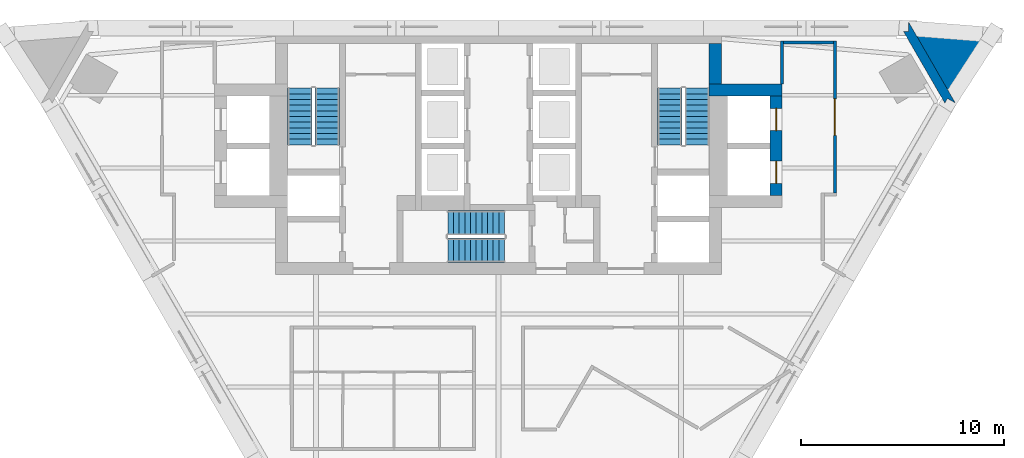
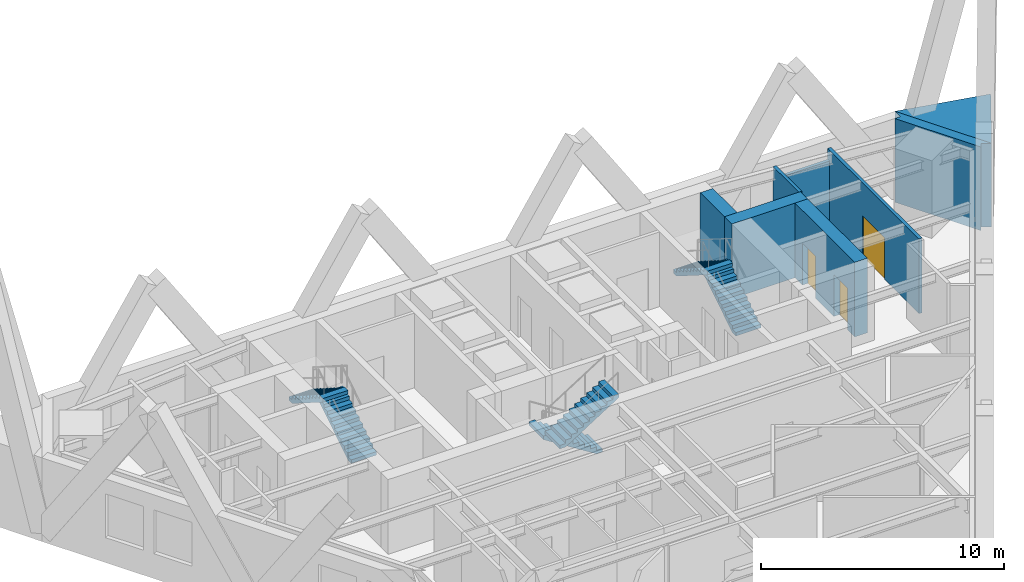
# One storey, part 6 of 8: 8 walls, 6 stair flights, 3 doors, 3 openings, 3 elements without a shape of their own.
"""IFC4 building model written with IfcOpenShell, lengths in metres."""

import ifcopenshell
import ifcopenshell.guid

model = None  # the IFC model being written
_history = None  # IfcOwnerHistory: only IFC2X3 demands one
_inside = {}  # id of a spatial element -> (the spatial element, [elements in it])
_under = {}  # id of a project, library or spatial element -> (it, [spatial elements below it])
_declared = {}  # id of a project -> (the project, [libraries it declares])
_typed = {}  # id of a type object -> (the type object, [elements of that type])
_made_of = {}  # id of a material, layer set ... -> (it, [elements and type objects made of it])


def new_model(schema):
    """Start an empty IFC model of exactly this schema.

    Asked for "IFC4X3", IfcOpenShell would pick the latest addendum, in which some entities
    have other attributes; the version numbers below select the first issue.
    IFC2X3 requires an IfcOwnerHistory on every rooted entity: one is made here for all.
    """
    global model, _history
    if schema == "IFC4X3":
        model = ifcopenshell.file(schema_version=(4, 3, 0, 0))
    else:
        model = ifcopenshell.file(schema=schema)
    _inside.clear()
    _under.clear()
    _declared.clear()
    _typed.clear()
    _made_of.clear()
    _history = None
    if model.schema == "IFC2X3":
        org = make("IfcOrganization", Name="unknown")
        user = make(
            "IfcPersonAndOrganization",
            ThePerson=make("IfcPerson", FamilyName="unknown"),
            TheOrganization=org,
        )
        app = make(
            "IfcApplication",
            ApplicationDeveloper=org,
            Version="unknown",
            ApplicationFullName="unknown",
            ApplicationIdentifier="unknown",
        )
        _history = make(
            "IfcOwnerHistory",
            OwningUser=user,
            OwningApplication=app,
            ChangeAction="ADDED",
            CreationDate=0,
        )
    return model


def make(cls, **values):
    """One entity of the class cls with the attributes given. An attribute that is None is left unset."""
    return model.create_entity(
        cls, **{name: value for name, value in values.items() if value is not None}
    )


def rooted(cls, **values):
    """An entity with a GlobalId (a new one), such as an element, a storey or a relation."""
    return make(cls, GlobalId=ifcopenshell.guid.new(), OwnerHistory=_history, **values)


def si_unit(unit_type, name, prefix=None):
    """IfcSIUnit, for example si_unit("LENGTHUNIT", "METRE", prefix="MILLI")."""
    return make("IfcSIUnit", UnitType=unit_type, Prefix=prefix, Name=name)


def assignment(units):
    """IfcUnitAssignment: the units of a project."""
    return None if units is None else make("IfcUnitAssignment", Units=units)


def point(xyz):
    """IfcCartesianPoint."""
    return None if xyz is None else make("IfcCartesianPoint", Coordinates=xyz)


def direction(xyz):
    """IfcDirection."""
    return None if xyz is None else make("IfcDirection", DirectionRatios=xyz)


def frame(location, z_axis=None, x_axis=None):
    """IfcAxis2Placement3D, a coordinate frame: its origin and axes. An axis left out is left unset."""
    return make(
        "IfcAxis2Placement3D",
        Location=point(location),
        Axis=direction(z_axis),
        RefDirection=direction(x_axis),
    )


def frame_2d(location, x_axis=None):
    """IfcAxis2Placement2D, a coordinate frame in the plane: its origin and x axis."""
    return make(
        "IfcAxis2Placement2D", Location=point(location), RefDirection=direction(x_axis)
    )


def origin():
    """The frame at (0, 0, 0) with its axes left unset."""
    return frame((0.0, 0.0, 0.0))


def place(relative_to, where):
    """IfcLocalPlacement: puts the frame where relative to a parent placement (None: the world)."""
    return make(
        "IfcLocalPlacement", PlacementRelTo=relative_to, RelativePlacement=where
    )


def context(
    kind, dimensions, precision=None, world=None, true_north=None, identifier=None
):
    """IfcGeometricRepresentationContext, for example the 3D "Model" context."""
    return make(
        "IfcGeometricRepresentationContext",
        ContextIdentifier=identifier,
        ContextType=kind,
        CoordinateSpaceDimension=dimensions,
        Precision=precision,
        WorldCoordinateSystem=world,
        TrueNorth=true_north,
    )


def subcontext(parent, identifier, kind, view, scale=None):
    """IfcGeometricRepresentationSubContext, for example "Body" below "Model"."""
    return make(
        "IfcGeometricRepresentationSubContext",
        ContextIdentifier=identifier,
        ContextType=kind,
        ParentContext=parent,
        TargetScale=scale,
        TargetView=view,
    )


def project(units=None, contexts=None):
    """IfcProject with its units and contexts."""
    return rooted(
        "IfcProject",
        Name="project",
        RepresentationContexts=contexts,
        UnitsInContext=assignment(units),
    )


def spatial(cls, under=None, at=None, **own):
    """A site, building, storey or space (cls), placed at a placement, below another one or the project."""
    s = rooted(cls, ObjectPlacement=at, **own)
    if under is not None:
        _under.setdefault(under.id(), (under, []))[1].append(s)
    return s


def polyline(points):
    """IfcPolyline through the points."""
    return make("IfcPolyline", Points=[point(p) for p in points])


def profile(cls, at=None, kind="AREA", **sizes):
    """A parametric profile (cls). Its sizes go by their IFC names, for example OverallWidth=200.0."""
    return make(cls, ProfileType=kind, Position=at, **sizes)


def rectangle(**sizes):
    """IfcRectangleProfileDef."""
    return profile("IfcRectangleProfileDef", **sizes)


def outline(outer, holes=None, kind="AREA"):
    """IfcArbitraryClosedProfileDef: a profile drawn as a closed curve; with holes, ...WithVoids."""
    if holes is None:
        return make("IfcArbitraryClosedProfileDef", ProfileType=kind, OuterCurve=outer)
    return make(
        "IfcArbitraryProfileDefWithVoids",
        ProfileType=kind,
        OuterCurve=outer,
        InnerCurves=holes,
    )


def extrude(swept, where, along, depth):
    """IfcExtrudedAreaSolid: the profile swept, set in the frame where, extruded along a direction by depth."""
    return make(
        "IfcExtrudedAreaSolid",
        SweptArea=swept,
        Position=where,
        ExtrudedDirection=direction(along),
        Depth=depth,
    )


def shape(context_of_items, identifier, shape_type, items):
    """IfcShapeRepresentation: the items that make up one representation, for example the "Body"."""
    return make(
        "IfcShapeRepresentation",
        ContextOfItems=context_of_items,
        RepresentationIdentifier=identifier,
        RepresentationType=shape_type,
        Items=items,
    )


def material(Name=None, Category=None):
    """IfcMaterial."""
    return make("IfcMaterial", Name=Name, Category=Category)


def layer(
    of_material, thickness, ventilated=None, Name=None, Category=None, Priority=None
):
    """IfcMaterialLayer: one layer of a wall or slab, of a material (None: an air gap)."""
    return make(
        "IfcMaterialLayer",
        Material=of_material,
        LayerThickness=thickness,
        IsVentilated=ventilated,
        Name=Name,
        Category=Category,
        Priority=Priority,
    )


def layer_set(layers, Name=None):
    """IfcMaterialLayerSet."""
    return make("IfcMaterialLayerSet", MaterialLayers=layers, LayerSetName=Name)


def made_of(thing, what):
    """Note that an element or type object is made of a material, layer set ...; save() writes the relation."""
    if what is not None:
        _made_of.setdefault(what.id(), (what, []))[1].append(thing)
    return thing


def type_object(cls, material=None, **own):
    """A type object (cls), such as IfcWallType, which elements share."""
    return made_of(rooted(cls, **own), material)


def element(
    cls,
    number,
    at=None,
    inside=None,
    cuts=None,
    type_object=None,
    material=None,
    context=None,
    identifier="Body",
    shape_type=None,
    held_by="IfcProductDefinitionShape",
    body=None,
    shapes=None,
    **own,
):
    """One element of the class cls, such as IfcWall. Its Tag is "e" and its number.

    at: its placement. inside: the storey or other place that contains it. cuts: it is an
    opening in that element (IfcRelVoidsElement). A single representation is given by context,
    identifier, shape_type and body (its items); several are given by shapes. held_by: the class
    of the entity that holds the representations. save() writes the other relations.
    """
    e = rooted(cls, Tag="e%d" % number, ObjectPlacement=at, **own)
    if body is not None:
        shapes = [shape(context, identifier, shape_type, body)]
    if shapes is not None:
        e.Representation = make(held_by, Representations=shapes)
    if inside is not None:
        _inside.setdefault(inside.id(), (inside, []))[1].append(e)
    if cuts is not None:
        rooted(
            "IfcRelVoidsElement", RelatingBuildingElement=cuts, RelatedOpeningElement=e
        )
    if type_object is not None:
        _typed.setdefault(type_object.id(), (type_object, []))[1].append(e)
    return made_of(e, material)


def fill(opening, filler):
    """IfcRelFillsElement: the door or window that sits in an opening."""
    return rooted(
        "IfcRelFillsElement",
        RelatingOpeningElement=opening,
        RelatedBuildingElement=filler,
    )


def aggregate(whole, parts):
    """IfcRelAggregates: a whole, such as a stair, and the parts it consists of."""
    return rooted("IfcRelAggregates", RelatingObject=whole, RelatedObjects=parts)


def save(model, path):
    """Write the relations noted so far, then the file.

    IfcRelAggregates (storeys below a building ...), IfcRelContainedInSpatialStructure (elements
    in a storey), IfcRelDefinesByType, IfcRelAssociatesMaterial and IfcRelDeclares: one each for
    every whole, place, type object, material and project.
    """
    for whole, parts in _under.values():
        aggregate(whole, parts)
    for where, things in _inside.values():
        rooted(
            "IfcRelContainedInSpatialStructure",
            RelatedElements=things,
            RelatingStructure=where,
        )
    for kind, things in _typed.values():
        rooted("IfcRelDefinesByType", RelatedObjects=things, RelatingType=kind)
    for what, things in _made_of.values():
        rooted("IfcRelAssociatesMaterial", RelatedObjects=things, RelatingMaterial=what)
    for by, libraries in _declared.values():
        rooted("IfcRelDeclares", RelatingContext=by, RelatedDefinitions=libraries)
    model.write(path)


model = new_model("IFC4")

# Units and contexts
model_context = context("Model", 3, precision=1e-05, world=origin(), true_north=direction((0.0, 1.0)))
body_context = subcontext(model_context, "Body", "Model", "MODEL_VIEW")
ifc_project = project(units=[si_unit("LENGTHUNIT", "METRE"), si_unit("AREAUNIT", "SQUARE_METRE"), si_unit("VOLUMEUNIT", "CUBIC_METRE"), si_unit("PLANEANGLEUNIT", "RADIAN"), si_unit("MASSUNIT", "GRAM", prefix="KILO")], contexts=[model_context])

# Site, building, storey
site_placement = place(None, origin())
site = spatial("IfcSite", under=ifc_project, at=site_placement, CompositionType="ELEMENT")
building_placement = place(site_placement, origin())
building = spatial("IfcBuilding", under=site, at=building_placement, Name="Aloe Facet Convention Tower", CompositionType="ELEMENT")
storey_placement = place(building_placement, frame((0.0, 0.0, 128.60009765625)))
storey = spatial("IfcBuildingStorey", under=building, at=storey_placement, Name="L32", CompositionType="ELEMENT", Elevation=128.60009765625)

# Walls
ifc_material_1 = material(Name="Concrete C60/75", Category="concrete")
ifc_layer_1 = layer(ifc_material_1, 0.60009765625)
ifc_layer_set_1 = layer_set([ifc_layer_1], Name="CR-W-RC600-C6075")
wall_type_1 = type_object("IfcWallType", Name="CR-W-RC600-C6075", PredefinedType="SOLIDWALL", material=ifc_layer_set_1)
wall_1_placement = place(storey_placement, frame((90.699951171875, 133.949951171875, 0.0), z_axis=(0.0, 0.0, 1.0), x_axis=(0.0, -1.0, 0.0)))
element("IfcWall", 1, at=wall_1_placement, inside=storey, type_object=wall_type_1, Name="Core wall L32-037", PredefinedType="SOLIDWALL", context=body_context, shape_type="SweptSolid", body=[
    extrude(rectangle(XDim=2.0, YDim=0.60009765625, at=frame_2d((1.0, 0.0))), origin(), (0.0, 0.0, 1.0), 3.75),
])
wall_2_placement = place(storey_placement, frame((90.39990234375, 131.64990234375, 0.0), z_axis=(0.0, 0.0, 1.0), x_axis=(1.0, 0.0, 0.0)))
element("IfcWall", 2, at=wall_2_placement, inside=storey, type_object=wall_type_1, Name="Core wall L32-038", PredefinedType="SOLIDWALL", context=body_context, shape_type="SweptSolid", body=[
    extrude(rectangle(XDim=3.60009765625, YDim=0.60009765625, at=frame_2d((1.800048828125, 0.0))), origin(), (0.0, 0.0, 1.0), 3.75),
])

# Wall, openings, doors
wall_3_placement = place(storey_placement, frame((93.699951171875, 131.35009765625, 0.0), z_axis=(0.0, 0.0, 1.0), x_axis=(0.0, -1.0, 0.0)))
wall_3 = element("IfcWall", 3, at=wall_3_placement, inside=storey, type_object=wall_type_1, Name="Core wall L32-043", PredefinedType="SOLIDWALL", context=body_context, shape_type="SweptSolid", body=[
    extrude(rectangle(XDim=4.900146484375, YDim=0.60009765625, at=frame_2d((2.4501953125, 0.0))), origin(), (0.0, 0.0, 1.0), 3.75),
])
opening_1_placement = place(wall_3_placement, frame((0.60009765625, 0.0, 0.0)))
opening_1 = element("IfcOpeningElement", 4, at=opening_1_placement, cuts=wall_3, Name="Opening LD-SH3-L32", PredefinedType="OPENING", context=body_context, shape_type="SweptSolid", body=[
    extrude(rectangle(XDim=1.10009765625, YDim=2.10009765625, at=frame_2d((0.550048828125, 1.050048828125))), frame((0.0, 0.31005859375, 0.0), z_axis=(0.0, -1.0, 0.0), x_axis=(1.0, 0.0, 0.0)), (0.0, 0.0, 1.0), 0.6201171875),
])
opening_2_placement = place(wall_3_placement, frame((3.199951171875, 0.0, 0.0)))
opening_2 = element("IfcOpeningElement", 5, at=opening_2_placement, cuts=wall_3, Name="Opening LD-SH4-L32", PredefinedType="OPENING", context=body_context, shape_type="SweptSolid", body=[
    extrude(rectangle(XDim=1.10009765625, YDim=2.10009765625, at=frame_2d((0.550048828125, 1.050048828125))), frame((0.0, 0.31005859375, 0.0), z_axis=(0.0, -1.0, 0.0), x_axis=(1.0, 0.0, 0.0)), (0.0, 0.0, 1.0), 0.6201171875),
])
ifc_material_2 = material(Name="Stainless steel sliding landing door", Category="steel")
door_type_1 = type_object("IfcDoorType", Name="CR-LD-1100-FD60-_LEFT", OperationType="SLIDING_TO_LEFT", PredefinedType="DOOR", material=ifc_material_2)
door_1_placement = place(opening_1_placement, origin())
door_1 = element("IfcDoor", 6, at=door_1_placement, inside=storey, type_object=door_type_1, Name="Landing door SH3 L32", OperationType="SLIDING_TO_LEFT", OverallHeight=2.10009765625, OverallWidth=1.10009765625, PredefinedType="DOOR", context=body_context, shape_type="SweptSolid", body=[
    extrude(rectangle(XDim=1.10009765625, YDim=2.10009765625, at=frame_2d((0.550048828125, 1.050048828125))), frame((0.0, 0.02490234375, 0.0), z_axis=(0.0, -1.0, 0.0), x_axis=(1.0, 0.0, 0.0)), (0.0, 0.0, 1.0), 0.050048828125),
])
fill(opening_1, door_1)
door_2_placement = place(opening_2_placement, origin())
door_2 = element("IfcDoor", 7, at=door_2_placement, inside=storey, type_object=door_type_1, Name="Landing door SH4 L32", OperationType="SLIDING_TO_LEFT", OverallHeight=2.10009765625, OverallWidth=1.10009765625, PredefinedType="DOOR", context=body_context, shape_type="SweptSolid", body=[
    extrude(rectangle(XDim=1.10009765625, YDim=2.10009765625, at=frame_2d((0.550048828125, 1.050048828125))), frame((0.0, 0.02490234375, 0.0), z_axis=(0.0, -1.0, 0.0), x_axis=(1.0, 0.0, 0.0)), (0.0, 0.0, 1.0), 0.050048828125),
])
fill(opening_2, door_2)

# Walls
ifc_material_3 = material(Name="Precast concrete C40/50", Category="concrete")
ifc_layer_2 = layer(ifc_material_3, 0.449951171875)
ifc_layer_set_2 = layer_set([ifc_layer_2], Name="EV-WALL-PIER")
wall_type_2 = type_object("IfcWallType", Name="EV-WALL-PIER", PredefinedType="SOLIDWALL", material=ifc_layer_set_2)
wall_4_placement = place(storey_placement, frame((0.0, 0.0, -0.4501953125)))
element("IfcWall", 8, at=wall_4_placement, inside=storey, type_object=wall_type_2, Name="EP-L32-C", PredefinedType="SOLIDWALL", context=body_context, shape_type="SweptSolid", body=[
    extrude(outline(polyline([(102.54296875, 131.016357421875), (102.1533203125, 131.2412109375), (102.0234375, 131.016357421875), (99.983154296875, 134.550048828125), (100.2431640625, 134.550048828125), (100.2431640625, 135.0), (102.54296875, 131.016357421875)])), origin(), (0.0, 0.0, 1.0), 4.2001953125),
])
ifc_material_4 = material(Name="Precast concrete C40/50", Category="concrete")
ifc_layer_3 = layer(ifc_material_4, 3.947998046875)
ifc_layer_set_3 = layer_set([ifc_layer_3], Name="EV-WALL-SPINE")
wall_type_3 = type_object("IfcWallType", Name="EV-WALL-SPINE", PredefinedType="SOLIDWALL", material=ifc_layer_set_3)
wall_5_placement = place(storey_placement, frame((0.0, 0.0, -0.4501953125)))
element("IfcWall", 9, at=wall_5_placement, inside=storey, type_object=wall_type_3, Name="SP-NE-L32", PredefinedType="SOLIDWALL", context=body_context, shape_type="SweptSolid", body=[
    extrude(outline(polyline([(102.54296875, 131.016357421875), (104.2802734375, 134.10595703125), (100.2431640625, 135.0), (102.54296875, 131.016357421875)])), origin(), (0.0, 0.0, 1.0), 4.2001953125),
])

# Wall, opening, door
ifc_material_5 = material(Name="Gypsum board partition on steel studs", Category="steel")
ifc_layer_4 = layer(ifc_material_5, 0.14990234375)
ifc_layer_set_4 = layer_set([ifc_layer_4], Name="IN-W-CORR")
wall_type_4 = type_object("IfcWallType", Name="IN-W-CORR", PredefinedType="PARTITIONING", material=ifc_layer_set_4)
wall_6_placement = place(storey_placement, frame((96.60009765625, 126.574951171875, 0.0), z_axis=(0.0, 0.0, 1.0), x_axis=(0.0, 1.0, 0.0)))
wall_6 = element("IfcWall", 10, at=wall_6_placement, inside=storey, type_object=wall_type_4, Name="Partition L32-W035", PredefinedType="PARTITIONING", context=body_context, shape_type="SweptSolid", body=[
    extrude(rectangle(XDim=7.5, YDim=0.14990234375, at=frame_2d((3.75, 0.0))), origin(), (0.0, 0.0, 1.0), 3.75),
])
opening_3_placement = place(wall_6_placement, frame((2.85009765625, 0.0, 0.0)))
opening_3 = element("IfcOpeningElement", 11, at=opening_3_placement, cuts=wall_6, Name="Opening L32-008", PredefinedType="OPENING", context=body_context, shape_type="SweptSolid", body=[
    extrude(rectangle(XDim=1.800048828125, YDim=2.10009765625, at=frame_2d((0.89990234375, 1.050048828125))), frame((0.0, 0.0849609375, 0.0), z_axis=(0.0, -1.0, 0.0), x_axis=(1.0, 0.0, 0.0)), (0.0, 0.0, 1.0), 0.169921875),
])
ifc_material_6 = material(Name="Glazed timber door pair FD30S", Category="wood")
door_type_2 = type_object("IfcDoorType", Name="IN-OFF-D-SUITE", OperationType="DOUBLE_DOOR_SINGLE_SWING", PredefinedType="DOOR", material=ifc_material_6)
door_3_placement = place(opening_3_placement, origin())
door_3 = element("IfcDoor", 12, at=door_3_placement, inside=storey, type_object=door_type_2, Name="Door L32-008", OperationType="SINGLE_SWING_LEFT", OverallHeight=2.10009765625, OverallWidth=1.800048828125, PredefinedType="DOOR", context=body_context, shape_type="SweptSolid", body=[
    extrude(rectangle(XDim=1.800048828125, YDim=2.10009765625, at=frame_2d((0.89990234375, 1.050048828125))), frame((0.0, 0.02490234375, 0.0), z_axis=(0.0, -1.0, 0.0), x_axis=(1.0, 0.0, 0.0)), (0.0, 0.0, 1.0), 0.050048828125),
])
fill(opening_3, door_3)

# Walls
wall_7_placement = place(storey_placement, frame((94.0, 131.949951171875, 0.0), z_axis=(0.0, 0.0, 1.0), x_axis=(0.0, 1.0, 0.0)))
element("IfcWall", 13, at=wall_7_placement, inside=storey, type_object=wall_type_4, Name="Partition L32-W039", PredefinedType="PARTITIONING", context=body_context, shape_type="SweptSolid", body=[
    extrude(rectangle(XDim=2.125, YDim=0.14990234375, at=frame_2d((1.0625, 0.0))), origin(), (0.0, 0.0, 1.0), 3.75),
])
wall_8_placement = place(storey_placement, frame((94.074951171875, 134.0, 0.0), z_axis=(0.0, 0.0, 1.0), x_axis=(1.0, 0.0, 0.0)))
element("IfcWall", 14, at=wall_8_placement, inside=storey, type_object=wall_type_4, Name="Partition L32-W040", PredefinedType="PARTITIONING", context=body_context, shape_type="SweptSolid", body=[
    extrude(rectangle(XDim=2.449951171875, YDim=0.14990234375, at=frame_2d((1.22509765625, 0.0))), origin(), (0.0, 0.0, 1.0), 3.206787109375),
])

# Stair, stair flights
ifc_material_7 = material(Name="Concrete C50/60", Category="concrete")
stair_type = type_object("IfcStairType", Name="CR-ST-22R", PredefinedType="HALF_TURN_STAIR", material=ifc_material_7)
stair_1_placement = place(storey_placement, origin())
stair_1 = element("IfcStair", 15, at=stair_1_placement, inside=storey, type_object=stair_type, Name="L32 Protected exit stair ST1", PredefinedType="HALF_TURN_STAIR")
ifc_material_8 = material(Name="Concrete C50/60", Category="concrete")
stair_flight_type = type_object("IfcStairFlightType", Name="CR-SFL-22R", PredefinedType="STRAIGHT", material=ifc_material_8)
stair_flight_1_placement = place(storey_placement, frame((71.550048828125, 128.949951171875, 0.0), z_axis=(0.0, 0.0, 1.0), x_axis=(0.0, 1.0, 0.0)))
stair_flight_1 = element("IfcStairFlight", 16, at=stair_flight_1_placement, type_object=stair_flight_type, Name="ST1 flight 1", NumberOfRisers=11, NumberOfTreads=10, PredefinedType="STRAIGHT", RiserHeight=0.177272727, TreadLength=0.28, context=body_context, shape_type="SweptSolid", body=[
    extrude(outline(polyline([(0.0, 0.0), (0.0, 0.17724609375), (0.280029296875, 0.17724609375), (0.280029296875, 0.3544921875), (0.56005859375, 0.3544921875), (0.56005859375, 0.53173828125), (0.840087890625, 0.53173828125), (0.840087890625, 0.708984375), (1.1201171875, 0.708984375), (1.1201171875, 0.886474609375), (1.39990234375, 0.886474609375), (1.39990234375, 1.063720703125), (1.679931640625, 1.063720703125), (1.679931640625, 1.240966796875), (1.9599609375, 1.240966796875), (1.9599609375, 1.418212890625), (2.239990234375, 1.418212890625), (2.239990234375, 1.595458984375), (2.52001953125, 1.595458984375), (2.52001953125, 1.772705078125), (2.800048828125, 1.772705078125), (2.800048828125, 1.949951171875), (2.800048828125, 1.59521484375), (0.2802734375, 0.0), (0.0, 0.0)])), frame((0.0, 0.60009765625, 0.0), z_axis=(0.0, -1.0, 0.0), x_axis=(1.0, 0.0, 0.0)), (0.0, 0.0, 1.0), 1.199951171875),
])
stair_flight_2_placement = place(storey_placement, frame((70.199951171875, 131.75, 1.949951171875), z_axis=(0.0, 0.0, 1.0), x_axis=(0.0, -1.0, 0.0)))
stair_flight_2 = element("IfcStairFlight", 17, at=stair_flight_2_placement, type_object=stair_flight_type, Name="ST1 flight 2", NumberOfRisers=11, NumberOfTreads=10, PredefinedType="STRAIGHT", RiserHeight=0.177272727, TreadLength=0.28, context=body_context, shape_type="SweptSolid", body=[
    extrude(outline(polyline([(0.0, 0.0), (0.0, 0.17724609375), (0.280029296875, 0.17724609375), (0.280029296875, 0.3544921875), (0.56005859375, 0.3544921875), (0.56005859375, 0.53173828125), (0.840087890625, 0.53173828125), (0.840087890625, 0.708984375), (1.1201171875, 0.708984375), (1.1201171875, 0.886474609375), (1.39990234375, 0.886474609375), (1.39990234375, 1.063720703125), (1.679931640625, 1.063720703125), (1.679931640625, 1.240966796875), (1.9599609375, 1.240966796875), (1.9599609375, 1.418212890625), (2.239990234375, 1.418212890625), (2.239990234375, 1.595458984375), (2.52001953125, 1.595458984375), (2.52001953125, 1.772705078125), (2.800048828125, 1.772705078125), (2.800048828125, 1.949951171875), (2.800048828125, 1.59521484375), (0.2802734375, 0.0), (0.0, 0.0)])), frame((0.0, 0.60009765625, 0.0), z_axis=(0.0, -1.0, 0.0), x_axis=(1.0, 0.0, 0.0)), (0.0, 0.0, 1.0), 1.199951171875),
])
aggregate(stair_1, [stair_flight_1, stair_flight_2])

stair_2_placement = place(storey_placement, origin())
stair_2 = element("IfcStair", 18, at=stair_2_placement, inside=storey, type_object=stair_type, Name="L32 Protected exit stair ST2", PredefinedType="HALF_TURN_STAIR")
stair_flight_3_placement = place(storey_placement, frame((89.800048828125, 128.949951171875, 0.0), z_axis=(0.0, 0.0, 1.0), x_axis=(0.0, 1.0, 0.0)))
stair_flight_3 = element("IfcStairFlight", 19, at=stair_flight_3_placement, type_object=stair_flight_type, Name="ST2 flight 1", NumberOfRisers=11, NumberOfTreads=10, PredefinedType="STRAIGHT", RiserHeight=0.177272727, TreadLength=0.28, context=body_context, shape_type="SweptSolid", body=[
    extrude(outline(polyline([(0.0, 0.0), (0.0, 0.17724609375), (0.280029296875, 0.17724609375), (0.280029296875, 0.3544921875), (0.56005859375, 0.3544921875), (0.56005859375, 0.53173828125), (0.840087890625, 0.53173828125), (0.840087890625, 0.708984375), (1.1201171875, 0.708984375), (1.1201171875, 0.886474609375), (1.39990234375, 0.886474609375), (1.39990234375, 1.063720703125), (1.679931640625, 1.063720703125), (1.679931640625, 1.240966796875), (1.9599609375, 1.240966796875), (1.9599609375, 1.418212890625), (2.239990234375, 1.418212890625), (2.239990234375, 1.595458984375), (2.52001953125, 1.595458984375), (2.52001953125, 1.772705078125), (2.800048828125, 1.772705078125), (2.800048828125, 1.949951171875), (2.800048828125, 1.59521484375), (0.2802734375, 0.0), (0.0, 0.0)])), frame((0.0, 0.60009765625, 0.0), z_axis=(0.0, -1.0, 0.0), x_axis=(1.0, 0.0, 0.0)), (0.0, 0.0, 1.0), 1.199951171875),
])
stair_flight_4_placement = place(storey_placement, frame((88.449951171875, 131.75, 1.949951171875), z_axis=(0.0, 0.0, 1.0), x_axis=(0.0, -1.0, 0.0)))
stair_flight_4 = element("IfcStairFlight", 20, at=stair_flight_4_placement, type_object=stair_flight_type, Name="ST2 flight 2", NumberOfRisers=11, NumberOfTreads=10, PredefinedType="STRAIGHT", RiserHeight=0.177272727, TreadLength=0.28, context=body_context, shape_type="SweptSolid", body=[
    extrude(outline(polyline([(0.0, 0.0), (0.0, 0.17724609375), (0.280029296875, 0.17724609375), (0.280029296875, 0.3544921875), (0.56005859375, 0.3544921875), (0.56005859375, 0.53173828125), (0.840087890625, 0.53173828125), (0.840087890625, 0.708984375), (1.1201171875, 0.708984375), (1.1201171875, 0.886474609375), (1.39990234375, 0.886474609375), (1.39990234375, 1.063720703125), (1.679931640625, 1.063720703125), (1.679931640625, 1.240966796875), (1.9599609375, 1.240966796875), (1.9599609375, 1.418212890625), (2.239990234375, 1.418212890625), (2.239990234375, 1.595458984375), (2.52001953125, 1.595458984375), (2.52001953125, 1.772705078125), (2.800048828125, 1.772705078125), (2.800048828125, 1.949951171875), (2.800048828125, 1.59521484375), (0.2802734375, 0.0), (0.0, 0.0)])), frame((0.0, 0.60009765625, 0.0), z_axis=(0.0, -1.0, 0.0), x_axis=(1.0, 0.0, 0.0)), (0.0, 0.0, 1.0), 1.199951171875),
])
aggregate(stair_2, [stair_flight_3, stair_flight_4])

stair_3_placement = place(storey_placement, origin())
stair_3 = element("IfcStair", 21, at=stair_3_placement, inside=storey, type_object=stair_type, Name="L32 Protected exit stair ST3", PredefinedType="HALF_TURN_STAIR")
stair_flight_5_placement = place(storey_placement, frame((80.300048828125, 125.10009765625, 0.0), z_axis=(0.0, 0.0, 1.0), x_axis=(-1.0, 0.0, 0.0)))
stair_flight_5 = element("IfcStairFlight", 22, at=stair_flight_5_placement, type_object=stair_flight_type, Name="ST3 flight 1", NumberOfRisers=11, NumberOfTreads=10, PredefinedType="STRAIGHT", RiserHeight=0.177272727, TreadLength=0.28, context=body_context, shape_type="SweptSolid", body=[
    extrude(outline(polyline([(0.0, 0.0), (0.0, 0.17724609375), (0.280029296875, 0.17724609375), (0.280029296875, 0.3544921875), (0.56005859375, 0.3544921875), (0.56005859375, 0.53173828125), (0.840087890625, 0.53173828125), (0.840087890625, 0.708984375), (1.1201171875, 0.708984375), (1.1201171875, 0.886474609375), (1.39990234375, 0.886474609375), (1.39990234375, 1.063720703125), (1.679931640625, 1.063720703125), (1.679931640625, 1.240966796875), (1.9599609375, 1.240966796875), (1.9599609375, 1.418212890625), (2.239990234375, 1.418212890625), (2.239990234375, 1.595458984375), (2.52001953125, 1.595458984375), (2.52001953125, 1.772705078125), (2.800048828125, 1.772705078125), (2.800048828125, 1.949951171875), (2.800048828125, 1.59521484375), (0.2802734375, 0.0), (0.0, 0.0)])), frame((0.0, 0.60009765625, 0.0), z_axis=(0.0, -1.0, 0.0), x_axis=(1.0, 0.0, 0.0)), (0.0, 0.0, 1.0), 1.199951171875),
])
stair_flight_6_placement = place(storey_placement, frame((77.5, 123.75, 1.949951171875), z_axis=(0.0, 0.0, 1.0), x_axis=(1.0, 0.0, 0.0)))
stair_flight_6 = element("IfcStairFlight", 23, at=stair_flight_6_placement, type_object=stair_flight_type, Name="ST3 flight 2", NumberOfRisers=11, NumberOfTreads=10, PredefinedType="STRAIGHT", RiserHeight=0.177272727, TreadLength=0.28, context=body_context, shape_type="SweptSolid", body=[
    extrude(outline(polyline([(0.0, 0.0), (0.0, 0.17724609375), (0.280029296875, 0.17724609375), (0.280029296875, 0.3544921875), (0.56005859375, 0.3544921875), (0.56005859375, 0.53173828125), (0.840087890625, 0.53173828125), (0.840087890625, 0.708984375), (1.1201171875, 0.708984375), (1.1201171875, 0.886474609375), (1.39990234375, 0.886474609375), (1.39990234375, 1.063720703125), (1.679931640625, 1.063720703125), (1.679931640625, 1.240966796875), (1.9599609375, 1.240966796875), (1.9599609375, 1.418212890625), (2.239990234375, 1.418212890625), (2.239990234375, 1.595458984375), (2.52001953125, 1.595458984375), (2.52001953125, 1.772705078125), (2.800048828125, 1.772705078125), (2.800048828125, 1.949951171875), (2.800048828125, 1.59521484375), (0.2802734375, 0.0), (0.0, 0.0)])), frame((0.0, 0.60009765625, 0.0), z_axis=(0.0, -1.0, 0.0), x_axis=(1.0, 0.0, 0.0)), (0.0, 0.0, 1.0), 1.199951171875),
])
aggregate(stair_3, [stair_flight_5, stair_flight_6])

save(model, "model.ifc")
